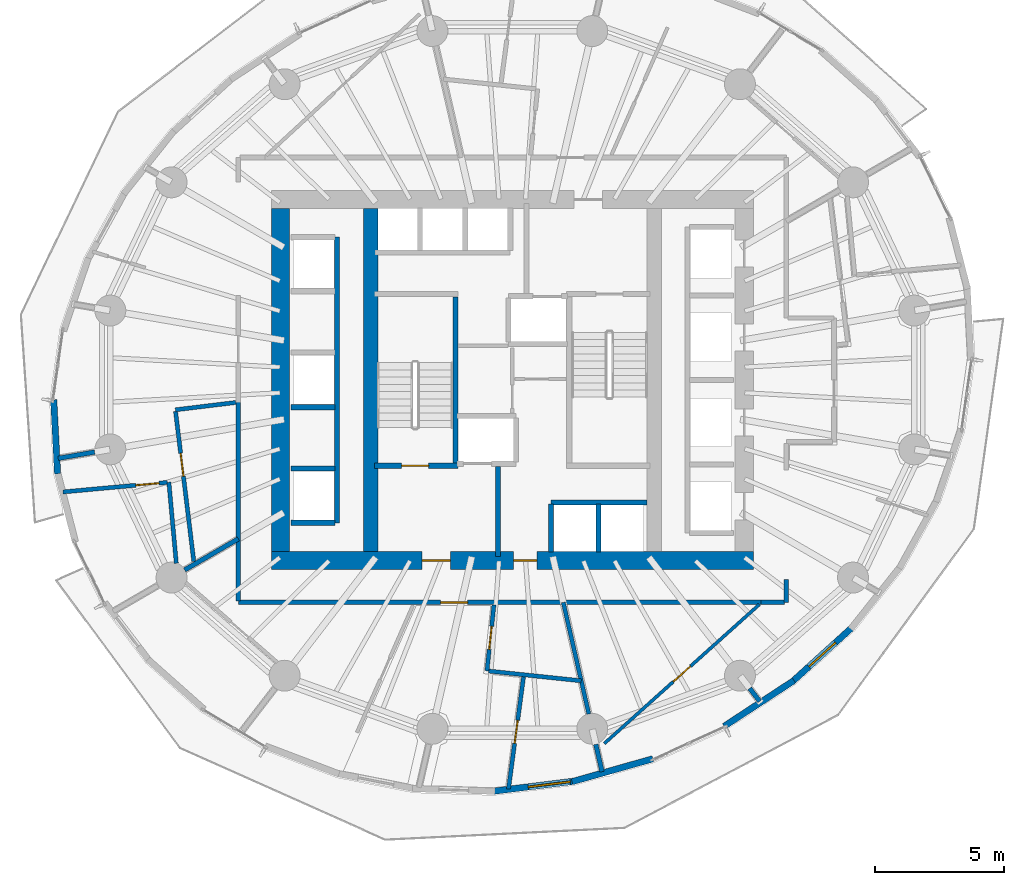
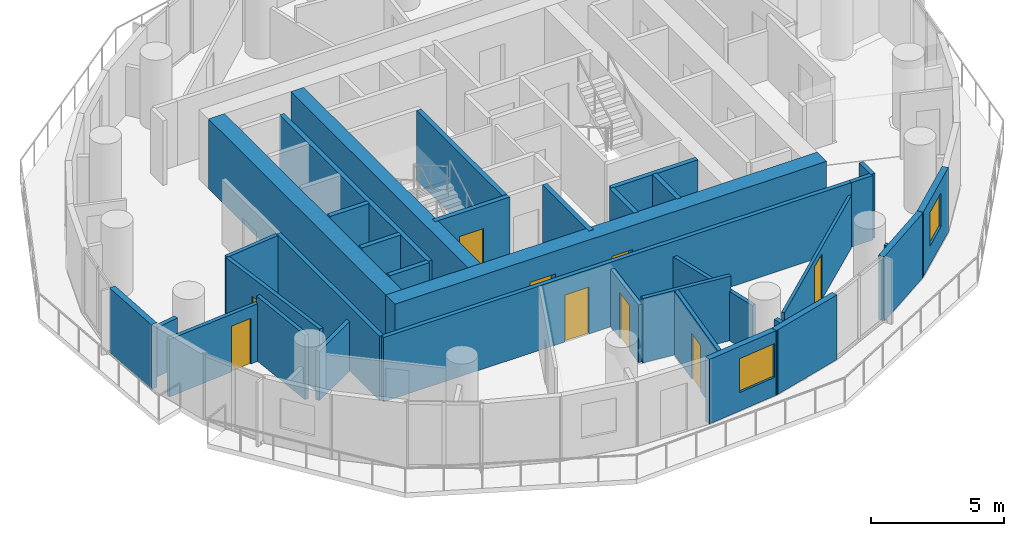
# One storey, part 7 of 14: 35 walls, 9 doors, 2 windows, 11 openings.
"""IFC4 building model written with IfcOpenShell, lengths in metres."""

from ifc_helpers import new_model, si_unit, direction, frame, frame_2d, origin, place, context, subcontext, project, spatial, rectangle, extrude, material, layer, layer_set, type_object, element, fill, save


model = new_model("IFC4")

# Units and contexts
model_context = context("Model", 3, precision=1e-05, world=origin(), true_north=direction((0.0, 1.0)))
body_context = subcontext(model_context, "Body", "Model", "MODEL_VIEW")
ifc_project = project(units=[si_unit("LENGTHUNIT", "METRE"), si_unit("AREAUNIT", "SQUARE_METRE"), si_unit("VOLUMEUNIT", "CUBIC_METRE"), si_unit("PLANEANGLEUNIT", "RADIAN"), si_unit("MASSUNIT", "GRAM", prefix="KILO")], contexts=[model_context])

# Site, building, storey
site_placement = place(None, origin())
site = spatial("IfcSite", under=ifc_project, at=site_placement, CompositionType="ELEMENT")
building_placement = place(site_placement, origin())
building = spatial("IfcBuilding", under=site, at=building_placement, Name="Veldorim Arch Residences", CompositionType="ELEMENT")
storey_placement = place(building_placement, frame((0.0, 0.0, 90.080078125)))
storey = spatial("IfcBuildingStorey", under=building, at=storey_placement, Name="L26", CompositionType="ELEMENT", Elevation=90.080078125)

# Wall, opening, door
ifc_material_1 = material(Name="Acoustic Gypsum Board", Category="gypsum")
ifc_layer_1 = layer(ifc_material_1, 0.125, Name="Acoustic Stud Room Partition Wall 125")
ifc_layer_set_1 = layer_set([ifc_layer_1], Name="Acoustic Gypsum Board")
wall_type_1 = type_object("IfcWallType", Name="Acoustic Stud Room Partition Wall 125", PredefinedType="PARTITIONING", material=ifc_layer_set_1)
wall_1_placement = place(storey_placement, frame((35.5712890625, 9.89404296875, 0.0), z_axis=(0.0, 0.0, 1.0), x_axis=(0.744379363772, 0.667756963865, 0.0)))
wall_1 = element("IfcWall", 1, at=wall_1_placement, inside=storey, type_object=wall_type_1, Name="L26 interior wall WL-RES-L26-027", PredefinedType="PARTITIONING", context=body_context, shape_type="SweptSolid", body=[
    extrude(rectangle(XDim=8.080322265625, YDim=0.125, at=frame_2d((4.0400390625, 0.0))), origin(), (0.0, 0.0, 1.0), 2.4033203125),
])
opening_1_placement = place(wall_1_placement, frame((3.590087890625, 0.0, 0.0)))
opening_1 = element("IfcOpeningElement", 2, at=opening_1_placement, cuts=wall_1, Name="Opening DR-INT", PredefinedType="OPENING", context=body_context, shape_type="SweptSolid", body=[
    extrude(rectangle(XDim=0.89990234375, YDim=2.10009765625, at=frame_2d((0.449951171875, 1.050048828125))), frame((0.0, 0.072509765625, 0.0), z_axis=(0.0, -1.0, 0.0), x_axis=(1.0, 0.0, 0.0)), (0.0, 0.0, 1.0), 0.14501953125),
])
ifc_material_2 = material(Name="Engineered Timber", Category="wood")
door_type_1 = type_object("IfcDoorType", Name="Apartment Internal Room Timber Door 900x2100", OperationType="SINGLE_SWING_LEFT", PredefinedType="DOOR", material=ifc_material_2)
door_1_placement = place(opening_1_placement, origin())
door_1 = element("IfcDoor", 3, at=door_1_placement, inside=storey, type_object=door_type_1, Name="L26 interior door DR-RES-L26-009", OperationType="SINGLE_SWING_LEFT", OverallHeight=2.10009765625, OverallWidth=0.89990234375, PredefinedType="DOOR", context=body_context, shape_type="SweptSolid", body=[
    extrude(rectangle(XDim=0.89990234375, YDim=2.10009765625, at=frame_2d((0.449951171875, 1.050048828125))), frame((0.0, 0.02490234375, 0.0), z_axis=(0.0, -1.0, 0.0), x_axis=(1.0, 0.0, 0.0)), (0.0, 0.0, 1.0), 0.050048828125),
])
fill(opening_1, door_1)

# Walls
ifc_material_3 = material(Name="Lightweight Masonry Block & Gypsum", Category="masonry")
ifc_layer_2 = layer(ifc_material_3, 0.179931640625, Name="Compartment & Corridor Fire-Rated Party Wall 180")
ifc_layer_set_2 = layer_set([ifc_layer_2], Name="Lightweight Masonry Block & Gypsum")
wall_type_2 = type_object("IfcWallType", Name="Compartment & Corridor Fire-Rated Party Wall 180", PredefinedType="PARTITIONING", material=ifc_layer_set_2)
wall_2_placement = place(storey_placement, frame((15.79443359375, 21.202392578125, 0.0), z_axis=(0.0, 0.0, 1.0), x_axis=(-0.985402123708, -0.170242928172, 0.0)))
element("IfcWall", 4, at=wall_2_placement, inside=storey, type_object=wall_type_2, Name="L26 interior wall WL-PIER-L26-09", PredefinedType="PARTITIONING", context=body_context, shape_type="SweptSolid", body=[
    extrude(rectangle(XDim=1.435546875, YDim=0.179931640625, at=frame_2d((0.7177734375, 0.0))), origin(), (0.0, 0.0, 1.0), 2.260498046875),
])
wall_3_placement = place(storey_placement, frame((35.240478515625, 9.86083984375, 0.0), z_axis=(0.0, 0.0, 1.0), x_axis=(0.223287406217, -0.974752652843, 0.0)))
element("IfcWall", 5, at=wall_3_placement, inside=storey, type_object=wall_type_2, Name="L26 interior wall WL-PIER-L26-13", PredefinedType="PARTITIONING", context=body_context, shape_type="SweptSolid", body=[
    extrude(rectangle(XDim=1.089111328125, YDim=0.179931640625, at=frame_2d((0.54443359375, 0.0))), origin(), (0.0, 0.0, 1.0), 2.260498046875),
])
wall_4_placement = place(storey_placement, frame((41.2119140625, 12.034423828125, 0.0), z_axis=(0.0, 0.0, 1.0), x_axis=(0.609970610867, -0.792424036661, 0.0)))
element("IfcWall", 6, at=wall_4_placement, inside=storey, type_object=wall_type_2, Name="L26 interior wall WL-PIER-L26-14", PredefinedType="PARTITIONING", context=body_context, shape_type="SweptSolid", body=[
    extrude(rectangle(XDim=0.635498046875, YDim=0.179931640625, at=frame_2d((0.31787109375, 0.0))), origin(), (0.0, 0.0, 1.0), 2.260498046875),
])

# Wall, opening, door
wall_5_placement = place(storey_placement, frame((41.6953125, 15.3701171875, 0.0), z_axis=(0.0, 0.0, 1.0), x_axis=(-1.0, 0.0, 0.0)))
wall_5 = element("IfcWall", 7, at=wall_5_placement, inside=storey, type_object=wall_type_2, Name="L26 interior wall WL-RES-L26-001", PredefinedType="PARTITIONING", context=body_context, shape_type="SweptSolid", body=[
    extrude(rectangle(XDim=20.3251953125, YDim=0.179931640625, at=frame_2d((10.16259765625, 0.0))), origin(), (0.0, 0.0, 1.0), 2.954833984375),
])
opening_2_placement = place(wall_5_placement, frame((11.423583984375, 0.0, 0.0)))
opening_2 = element("IfcOpeningElement", 8, at=opening_2_placement, cuts=wall_5, Name="Opening DR-FLT", PredefinedType="OPENING", context=body_context, shape_type="SweptSolid", body=[
    extrude(rectangle(XDim=1.050048828125, YDim=2.14990234375, at=frame_2d((0.52490234375, 1.074951171875))), frame((0.0, 0.099853515625, 0.0), z_axis=(0.0, -1.0, 0.0), x_axis=(1.0, 0.0, 0.0)), (0.0, 0.0, 1.0), 0.199951171875),
])
ifc_material_4 = material(Name="Fire-Rated Timber", Category="wood")
door_type_2 = type_object("IfcDoorType", Name="Apartment Entrance Solid-Core Fire Door 1050x2150", OperationType="SINGLE_SWING_LEFT", PredefinedType="DOOR", material=ifc_material_4)
door_2_placement = place(opening_2_placement, origin())
door_2 = element("IfcDoor", 9, at=door_2_placement, inside=storey, type_object=door_type_2, Name="L26 interior door DR-RES-L26-001", OperationType="SINGLE_SWING_LEFT", OverallHeight=2.14990234375, OverallWidth=1.050048828125, PredefinedType="DOOR", context=body_context, shape_type="SweptSolid", body=[
    extrude(rectangle(XDim=1.050048828125, YDim=2.14990234375, at=frame_2d((0.52490234375, 1.074951171875))), frame((0.0, 0.02490234375, 0.0), z_axis=(0.0, -1.0, 0.0), x_axis=(1.0, 0.0, 0.0)), (0.0, 0.0, 1.0), 0.050048828125),
])
fill(opening_2, door_2)

# Walls
wall_6_placement = place(storey_placement, frame((21.3701171875, 15.429931640625, 0.0), z_axis=(0.0, 0.0, 1.0), x_axis=(0.0, 1.0, 0.0)))
element("IfcWall", 10, at=wall_6_placement, inside=storey, type_object=wall_type_2, Name="L26 interior wall WL-RES-L26-002", PredefinedType="PARTITIONING", context=body_context, shape_type="SweptSolid", body=[
    extrude(rectangle(XDim=7.7265625, YDim=0.179931640625, at=frame_2d((3.86328125, 0.0))), origin(), (0.0, 0.0, 1.0), 2.954833984375),
])
wall_7_placement = place(storey_placement, frame((42.6298828125, 16.253173828125, 0.0), z_axis=(0.0, 0.0, 1.0), x_axis=(0.0, -1.0, 0.0)))
element("IfcWall", 11, at=wall_7_placement, inside=storey, type_object=wall_type_2, Name="L26 interior wall WL-RES-L26-006", PredefinedType="PARTITIONING", context=body_context, shape_type="SweptSolid", body=[
    extrude(rectangle(XDim=0.883056640625, YDim=0.179931640625, at=frame_2d((0.44140625, 0.0))), origin(), (0.0, 0.0, 1.0), 2.954833984375),
])
wall_8_placement = place(storey_placement, frame((42.570068359375, 15.3701171875, 0.0), z_axis=(0.0, 0.0, 1.0), x_axis=(-1.0, 0.0, 0.0)))
element("IfcWall", 12, at=wall_8_placement, inside=storey, type_object=wall_type_2, Name="L26 interior wall WL-RES-L26-007", PredefinedType="PARTITIONING", context=body_context, shape_type="SweptSolid", body=[
    extrude(rectangle(XDim=0.924560546875, YDim=0.179931640625, at=frame_2d((0.46240234375, 0.0))), origin(), (0.0, 0.0, 1.0), 2.954833984375),
])
wall_9_placement = place(storey_placement, frame((19.28759765625, 16.627685546875, 0.0), z_axis=(0.0, 0.0, 1.0), x_axis=(0.86502326608, 0.501731750182, 0.0)))
element("IfcWall", 13, at=wall_9_placement, inside=storey, type_object=wall_type_2, Name="L26 interior wall WL-RES-L26-020", PredefinedType="PARTITIONING", context=body_context, shape_type="SweptSolid", body=[
    extrude(rectangle(XDim=2.4072265625, YDim=0.179931640625, at=frame_2d((1.20361328125, 0.0))), origin(), (0.0, 0.0, 1.0), 2.260498046875),
])
ifc_material_5 = material(Name="Concrete C50/60", Category="concrete")
ifc_layer_3 = layer(ifc_material_5, 0.199951171875, Name="Core Stair & Lift Shaft Enclosure Wall 200")
ifc_layer_set_3 = layer_set([ifc_layer_3], Name="Concrete C50/60")
wall_type_3 = type_object("IfcWallType", Name="Core Stair & Lift Shaft Enclosure Wall 200", PredefinedType="SHEAR", material=ifc_layer_set_3)
wall_10_placement = place(storey_placement, frame((29.7900390625, 20.780029296875, 0.0), z_axis=(0.0, 0.0, 1.0), x_axis=(0.0, 1.0, 0.0)))
element("IfcWall", 14, at=wall_10_placement, inside=storey, type_object=wall_type_3, Name="L26 shaft wall WL-SHF-L26-ST1-E", PredefinedType="SHEAR", context=body_context, shape_type="SweptSolid", body=[
    extrude(rectangle(XDim=6.43994140625, YDim=0.199951171875, at=frame_2d((3.219970703125, 0.0))), origin(), (0.0, 0.0, 1.0), 3.199951171875),
])

# Wall, opening, door
wall_11_placement = place(storey_placement, frame((26.64990234375, 20.669921875, 0.0), z_axis=(0.0, 0.0, 1.0), x_axis=(1.0, 0.0, 0.0)))
wall_11 = element("IfcWall", 15, at=wall_11_placement, inside=storey, type_object=wall_type_3, Name="L26 shaft wall WL-SHF-L26-ST1-S", PredefinedType="SHEAR", context=body_context, shape_type="SweptSolid", body=[
    extrude(rectangle(XDim=3.239990234375, YDim=0.199951171875, at=frame_2d((1.6201171875, 0.0))), origin(), (0.0, 0.0, 1.0), 3.199951171875),
])
opening_3_placement = place(wall_11_placement, frame((1.054931640625, 0.0, 0.0)))
opening_3 = element("IfcOpeningElement", 16, at=opening_3_placement, cuts=wall_11, Name="Opening DR-ST", PredefinedType="OPENING", context=body_context, shape_type="SweptSolid", body=[
    extrude(rectangle(XDim=1.050048828125, YDim=2.14990234375, at=frame_2d((0.52490234375, 1.074951171875))), frame((0.0, 0.10986328125, 0.0), z_axis=(0.0, -1.0, 0.0), x_axis=(1.0, 0.0, 0.0)), (0.0, 0.0, 1.0), 0.219970703125),
])
ifc_material_6 = material(Name="Fire-Rated Steel", Category="steel")
door_type_3 = type_object("IfcDoorType", Name="Exit Staircase Self-Closing Fire Door 1050x2150", OperationType="SINGLE_SWING_LEFT", PredefinedType="DOOR", material=ifc_material_6)
door_3_placement = place(opening_3_placement, origin())
door_3 = element("IfcDoor", 17, at=door_3_placement, inside=storey, type_object=door_type_3, Name="L26 interior door DR-L26-ST1", OperationType="SINGLE_SWING_LEFT", OverallHeight=2.14990234375, OverallWidth=1.050048828125, PredefinedType="DOOR", context=body_context, shape_type="SweptSolid", body=[
    extrude(rectangle(XDim=1.050048828125, YDim=2.14990234375, at=frame_2d((0.52490234375, 1.074951171875))), frame((0.0, 0.02490234375, 0.0), z_axis=(0.0, -1.0, 0.0), x_axis=(1.0, 0.0, 0.0)), (0.0, 0.0, 1.0), 0.050048828125),
])
fill(opening_3, door_3)

# Walls
wall_12_placement = place(storey_placement, frame((31.449951171875, 17.14990234375, 0.0), z_axis=(0.0, 0.0, 1.0), x_axis=(0.0, 1.0, 0.0)))
element("IfcWall", 18, at=wall_12_placement, inside=storey, type_object=wall_type_3, Name="L26 shaft wall WL-FFL1-L26-E", PredefinedType="SHEAR", context=body_context, shape_type="SweptSolid", body=[
    extrude(rectangle(XDim=3.5, YDim=0.199951171875, at=frame_2d((1.75, 0.0))), origin(), (0.0, 0.0, 1.0), 3.199951171875),
])
wall_13_placement = place(storey_placement, frame((25.199951171875, 18.4599609375, 0.0), z_axis=(0.0, 0.0, 1.0), x_axis=(0.0, 1.0, 0.0)))
element("IfcWall", 19, at=wall_13_placement, inside=storey, type_object=wall_type_3, Name="L26 shaft wall WL-B2-L26-E", PredefinedType="SHEAR", context=body_context, shape_type="SweptSolid", body=[
    extrude(rectangle(XDim=11.080078125, YDim=0.199951171875, at=frame_2d((5.5400390625, 0.0))), origin(), (0.0, 0.0, 1.0), 3.199951171875),
])
for number, where, z_axis, x_axis, name in (
    (20, (23.419921875, 18.4599609375, 0.0), (0.0, 0.0, 1.0), (1.0, 0.0, 0.0), "L26 shaft wall WL-B2-L26-S"),
    (21, (23.419921875, 20.56005859375, 0.0), (0.0, 0.0, 1.0), (1.0, 0.0, 0.0), "L26 shaft wall WL-B2-L26-D1A"),
    (22, (23.419921875, 22.93994140625, 0.0), (0.0, 0.0, 1.0), (1.0, 0.0, 0.0), "L26 shaft wall WL-B2-L26-D1B"),
):
    element("IfcWall", number, at=place(storey_placement, frame(where, z_axis=z_axis, x_axis=x_axis)), inside=storey, type_object=wall_type_3, Name=name, PredefinedType="SHEAR", context=body_context, shape_type="SweptSolid", body=[
        extrude(rectangle(XDim=1.7099609375, YDim=0.199951171875, at=frame_2d((0.85498046875, 0.0))), origin(), (0.0, 0.0, 1.0), 3.199951171875),
    ])
wall_14_placement = place(storey_placement, frame((33.5, 19.25, 0.0), z_axis=(0.0, 0.0, 1.0), x_axis=(1.0, 0.0, 0.0)))
element("IfcWall", 23, at=wall_14_placement, inside=storey, type_object=wall_type_3, Name="L26 shaft wall WL-OL-L26-N", PredefinedType="SHEAR", context=body_context, shape_type="SweptSolid", body=[
    extrude(rectangle(XDim=3.719970703125, YDim=0.199951171875, at=frame_2d((1.85986328125, 0.0))), origin(), (0.0, 0.0, 1.0), 3.199951171875),
])
for number, where, z_axis, x_axis, name in (
    (24, (33.5, 17.320068359375, 0.0), (0.0, 0.0, 1.0), (0.0, 1.0, 0.0), "L26 shaft wall WL-OL-L26-W"),
    (25, (35.35009765625, 17.320068359375, 0.0), (0.0, 0.0, 1.0), (0.0, 1.0, 0.0), "L26 shaft wall WL-OL-L26-D1"),
):
    element("IfcWall", number, at=place(storey_placement, frame(where, z_axis=z_axis, x_axis=x_axis)), inside=storey, type_object=wall_type_3, Name=name, PredefinedType="SHEAR", context=body_context, shape_type="SweptSolid", body=[
        extrude(rectangle(XDim=1.85986328125, YDim=0.199951171875, at=frame_2d((0.929931640625, 0.0))), origin(), (0.0, 0.0, 1.0), 3.199951171875),
    ])
ifc_material_7 = material(Name="Concrete C60/75", Category="concrete")
ifc_layer_4 = layer(ifc_material_7, 0.56005859375, Name="Internal Core Shear Web Wall 560")
ifc_layer_set_4 = layer_set([ifc_layer_4], Name="Concrete C60/75")
wall_type_4 = type_object("IfcWallType", Name="Internal Core Shear Web Wall 560", PredefinedType="SHEAR", material=ifc_layer_set_4)
wall_15_placement = place(storey_placement, frame((26.5, 17.35009765625, 0.0), z_axis=(0.0, 0.0, 1.0), x_axis=(0.0, 1.0, 0.0)))
element("IfcWall", 26, at=wall_15_placement, inside=storey, type_object=wall_type_4, Name="L26 core west internal shear web", PredefinedType="SHEAR", context=body_context, shape_type="SweptSolid", body=[
    extrude(rectangle(XDim=13.2998046875, YDim=0.56005859375, at=frame_2d((6.64990234375, 0.0))), origin(), (0.0, 0.0, 1.0), 3.199951171875),
])

# Wall, openings, doors
ifc_material_8 = material(Name="Concrete C60/75", Category="concrete")
ifc_layer_5 = layer(ifc_material_8, 0.699951171875, Name="Mid-Lower Central Core Shear Wall 700")
ifc_layer_set_5 = layer_set([ifc_layer_5], Name="Concrete C60/75")
wall_type_5 = type_object("IfcWallType", Name="Mid-Lower Central Core Shear Wall 700", PredefinedType="SHEAR", material=ifc_layer_set_5)
wall_16_placement = place(storey_placement, frame((22.64990234375, 17.0, 0.0), z_axis=(0.0, 0.0, 1.0), x_axis=(1.0, 0.0, 0.0)))
wall_16 = element("IfcWall", 27, at=wall_16_placement, inside=storey, type_object=wall_type_5, Name="L26 central core south shear wall", PredefinedType="SHEAR", context=body_context, shape_type="SweptSolid", body=[
    extrude(rectangle(XDim=18.7001953125, YDim=0.699951171875, at=frame_2d((9.35009765625, 0.0))), origin(), (0.0, 0.0, 1.0), 3.199951171875),
])
opening_4_placement = place(wall_16_placement, frame((5.85009765625, 0.0, 0.0)))
opening_4 = element("IfcOpeningElement", 28, at=opening_4_placement, cuts=wall_16, Name="Opening DR-FFL", PredefinedType="OPENING", context=body_context, shape_type="SweptSolid", body=[
    extrude(rectangle(XDim=1.10009765625, YDim=2.14990234375, at=frame_2d((0.550048828125, 1.074951171875))), frame((0.0, 0.35986328125, 0.0), z_axis=(0.0, -1.0, 0.0), x_axis=(1.0, 0.0, 0.0)), (0.0, 0.0, 1.0), 0.719970703125),
])
opening_5_placement = place(wall_16_placement, frame((9.39990234375, 0.0, 0.0)))
opening_5 = element("IfcOpeningElement", 29, at=opening_5_placement, cuts=wall_16, Name="Opening DR-SVC", PredefinedType="OPENING", context=body_context, shape_type="SweptSolid", body=[
    extrude(rectangle(XDim=0.89990234375, YDim=2.10009765625, at=frame_2d((0.449951171875, 1.050048828125))), frame((0.0, 0.35986328125, 0.0), z_axis=(0.0, -1.0, 0.0), x_axis=(1.0, 0.0, 0.0)), (0.0, 0.0, 1.0), 0.719970703125),
])
ifc_material_9 = material(Name="Fire-Rated Steel & Vision Glass", Category="steel")
door_type_4 = type_object("IfcDoorType", Name="Firefighting Lobby Smoke-Stop Fire Door 1100x2150", OperationType="SINGLE_SWING_LEFT", PredefinedType="DOOR", material=ifc_material_9)
door_4_placement = place(opening_4_placement, origin())
door_4 = element("IfcDoor", 30, at=door_4_placement, inside=storey, type_object=door_type_4, Name="L26 interior door DR-L26-FFL1", OperationType="SINGLE_SWING_RIGHT", OverallHeight=2.14990234375, OverallWidth=1.10009765625, PredefinedType="DOOR", context=body_context, shape_type="SweptSolid", body=[
    extrude(rectangle(XDim=1.10009765625, YDim=2.14990234375, at=frame_2d((0.550048828125, 1.074951171875))), frame((0.0, 0.02490234375, 0.0), z_axis=(0.0, -1.0, 0.0), x_axis=(1.0, 0.0, 0.0)), (0.0, 0.0, 1.0), 0.050048828125),
])
fill(opening_4, door_4)
ifc_material_10 = material(Name="Fire-Rated Steel", Category="steel")
door_type_5 = type_object("IfcDoorType", Name="Riser, Shelter & Plant Room Rated Steel Door 900x2100", OperationType="SINGLE_SWING_LEFT", PredefinedType="DOOR", material=ifc_material_10)
door_5_placement = place(opening_5_placement, origin())
door_5 = element("IfcDoor", 31, at=door_5_placement, inside=storey, type_object=door_type_5, Name="L26 interior door DR-L26-COR-ANC", OperationType="SINGLE_SWING_LEFT", OverallHeight=2.10009765625, OverallWidth=0.89990234375, PredefinedType="DOOR", context=body_context, shape_type="SweptSolid", body=[
    extrude(rectangle(XDim=0.89990234375, YDim=2.10009765625, at=frame_2d((0.449951171875, 1.050048828125))), frame((0.0, 0.02490234375, 0.0), z_axis=(0.0, -1.0, 0.0), x_axis=(1.0, 0.0, 0.0)), (0.0, 0.0, 1.0), 0.050048828125),
])
fill(opening_5, door_5)

# Walls
wall_17_placement = place(storey_placement, frame((23.0, 17.35009765625, 0.0), z_axis=(0.0, 0.0, 1.0), x_axis=(0.0, 1.0, 0.0)))
element("IfcWall", 32, at=wall_17_placement, inside=storey, type_object=wall_type_5, Name="L26 central core west shear wall", PredefinedType="SHEAR", context=body_context, shape_type="SweptSolid", body=[
    extrude(rectangle(XDim=13.2998046875, YDim=0.699951171875, at=frame_2d((6.64990234375, 0.0))), origin(), (0.0, 0.0, 1.0), 3.199951171875),
])
ifc_material_11 = material(Name="Precast concrete C40/50", Category="concrete")
ifc_layer_6 = layer(ifc_material_11, 0.25, Name="Tower Terracotta Spandrel & Pier Wall 250")
ifc_layer_set_6 = layer_set([ifc_layer_6], Name="Precast concrete C40/50")
wall_type_6 = type_object("IfcWallType", Name="Tower Terracotta Spandrel & Pier Wall 250", PredefinedType="SOLIDWALL", material=ifc_layer_set_6)
wall_18_placement = place(storey_placement, frame((14.356201171875, 20.35986328125, 0.0), z_axis=(0.0, 0.0, 1.0), x_axis=(-0.052411702269, 0.998625562193, 0.0)))
element("IfcWall", 33, at=wall_18_placement, inside=storey, type_object=wall_type_6, Name="L26 terracotta facade wall 17", PredefinedType="SOLIDWALL", context=body_context, shape_type="SweptSolid", body=[
    extrude(rectangle(XDim=2.8740234375, YDim=0.25, at=frame_2d((1.43701171875, 0.0))), origin(), (0.0, 0.0, 1.0), 2.9599609375),
])

# Wall, opening, window
wall_19_placement = place(storey_placement, frame((34.42529296875, 8.43359375, 0.0), z_axis=(0.0, 0.0, 1.0), x_axis=(-0.99241077266, -0.122966899235, 0.0)))
wall_19 = element("IfcWall", 34, at=wall_19_placement, inside=storey, type_object=wall_type_6, Name="L26 terracotta facade wall 26", PredefinedType="SOLIDWALL", context=body_context, shape_type="SweptSolid", body=[
    extrude(rectangle(XDim=3.236328125, YDim=0.25, at=frame_2d((1.6181640625, 0.0))), origin(), (0.0, 0.0, 1.0), 2.9599609375),
])
opening_6_placement = place(wall_19_placement, frame((0.175048828125, 0.0, 0.85009765625)))
opening_6 = element("IfcOpeningElement", 35, at=opening_6_placement, cuts=wall_19, Name="Opening WN-03", PredefinedType="OPENING", context=body_context, shape_type="SweptSolid", body=[
    extrude(rectangle(XDim=1.64990234375, YDim=1.550048828125, at=frame_2d((0.824951171875, 0.77490234375))), frame((0.0, 0.135009765625, 0.0), z_axis=(0.0, -1.0, 0.0), x_axis=(1.0, 0.0, 0.0)), (0.0, 0.0, 1.0), 0.27001953125),
])
ifc_material_12 = material(Name="Laminated Low-E Glass", Category="glass")
window_type_1 = type_object("IfcWindowType", Name="Residential Wide Window 1650x1550", PartitioningType="SINGLE_PANEL", PredefinedType="WINDOW", material=ifc_material_12)
window_1_placement = place(opening_6_placement, origin())
window_1 = element("IfcWindow", 36, at=window_1_placement, inside=storey, type_object=window_type_1, Name="L26 solar-control facade window 26", OverallHeight=1.550048828125, OverallWidth=1.64990234375, PartitioningType="SINGLE_PANEL", PredefinedType="WINDOW", context=body_context, shape_type="SweptSolid", body=[
    extrude(rectangle(XDim=1.64990234375, YDim=1.550048828125, at=frame_2d((0.824951171875, 0.77490234375))), frame((0.0, 0.030029296875, 0.0), z_axis=(0.0, -1.0, 0.0), x_axis=(1.0, 0.0, 0.0)), (0.0, 0.0, 1.0), 0.06005859375),
])
fill(opening_6, window_1)

# Walls
wall_20_placement = place(storey_placement, frame((37.45458984375, 9.300537109375, 0.0), z_axis=(0.0, 0.0, 1.0), x_axis=(-0.962134911526, -0.272573681825, 0.0)))
element("IfcWall", 37, at=wall_20_placement, inside=storey, type_object=wall_type_6, Name="L26 terracotta facade wall 27", PredefinedType="SOLIDWALL", context=body_context, shape_type="SweptSolid", body=[
    extrude(rectangle(XDim=3.259521484375, YDim=0.25, at=frame_2d((1.6298828125, 0.0))), origin(), (0.0, 0.0, 1.0), 2.9599609375),
])
wall_21_placement = place(storey_placement, frame((42.929443359375, 12.3369140625, 0.0), z_axis=(0.0, 0.0, 1.0), x_axis=(-0.836273856728, -0.548311988336, 0.0)))
element("IfcWall", 38, at=wall_21_placement, inside=storey, type_object=wall_type_6, Name="L26 terracotta facade wall 29", PredefinedType="SOLIDWALL", context=body_context, shape_type="SweptSolid", body=[
    extrude(rectangle(XDim=3.236083984375, YDim=0.25, at=frame_2d((1.6181640625, 0.0))), origin(), (0.0, 0.0, 1.0), 2.9599609375),
])

# Wall, opening, window
wall_22_placement = place(storey_placement, frame((45.207763671875, 14.414306640625, 0.0), z_axis=(0.0, 0.0, 1.0), x_axis=(-0.740832321657, -0.671690011232, 0.0)))
wall_22 = element("IfcWall", 39, at=wall_22_placement, inside=storey, type_object=wall_type_6, Name="L26 terracotta facade wall 30", PredefinedType="SOLIDWALL", context=body_context, shape_type="SweptSolid", body=[
    extrude(rectangle(XDim=3.19189453125, YDim=0.25, at=frame_2d((1.595947265625, 0.0))), origin(), (0.0, 0.0, 1.0), 2.9599609375),
])
opening_7_placement = place(wall_22_placement, frame((0.89599609375, 0.0, 0.85009765625)))
opening_7 = element("IfcOpeningElement", 40, at=opening_7_placement, cuts=wall_22, Name="Opening WN-02", PredefinedType="OPENING", context=body_context, shape_type="SweptSolid", body=[
    extrude(rectangle(XDim=1.39990234375, YDim=1.550048828125, at=frame_2d((0.699951171875, 0.77490234375))), frame((0.0, 0.135009765625, 0.0), z_axis=(0.0, -1.0, 0.0), x_axis=(1.0, 0.0, 0.0)), (0.0, 0.0, 1.0), 0.27001953125),
])
ifc_material_13 = material(Name="Laminated Low-E Glass", Category="glass")
window_type_2 = type_object("IfcWindowType", Name="Residential Casement Window 1400x1550", PartitioningType="SINGLE_PANEL", PredefinedType="WINDOW", material=ifc_material_13)
window_2_placement = place(opening_7_placement, origin())
window_2 = element("IfcWindow", 41, at=window_2_placement, inside=storey, type_object=window_type_2, Name="L26 solar-control facade window 30", OverallHeight=1.550048828125, OverallWidth=1.39990234375, PartitioningType="SINGLE_PANEL", PredefinedType="WINDOW", context=body_context, shape_type="SweptSolid", body=[
    extrude(rectangle(XDim=1.39990234375, YDim=1.550048828125, at=frame_2d((0.699951171875, 0.77490234375))), frame((0.0, 0.030029296875, 0.0), z_axis=(0.0, -1.0, 0.0), x_axis=(1.0, 0.0, 0.0)), (0.0, 0.0, 1.0), 0.06005859375),
])
fill(opening_7, window_2)

# Wall, opening, door
ifc_material_14 = material(Name="Moisture-Resistant Gypsum & Stud", Category="gypsum")
ifc_layer_7 = layer(ifc_material_14, 0.159912109375, Name="Wet-Area Moisture-Resistant Plumbing Wall 160")
ifc_layer_set_7 = layer_set([ifc_layer_7], Name="Moisture-Resistant Gypsum & Stud")
wall_type_7 = type_object("IfcWallType", Name="Wet-Area Moisture-Resistant Plumbing Wall 160", PredefinedType="PLUMBINGWALL", material=ifc_layer_set_7)
wall_23_placement = place(storey_placement, frame((32.447509765625, 12.562255859375, 0.0), z_axis=(0.0, 0.0, 1.0), x_axis=(-0.132986130607, -0.991117898671, 0.0)))
wall_23 = element("IfcWall", 42, at=wall_23_placement, inside=storey, type_object=wall_type_7, Name="L26 interior wall WL-RES-L26-014", PredefinedType="PLUMBINGWALL", context=body_context, shape_type="SweptSolid", body=[
    extrude(rectangle(XDim=4.47216796875, YDim=0.159912109375, at=frame_2d((2.236083984375, 0.0))), origin(), (0.0, 0.0, 1.0), 2.954833984375),
])
opening_8_placement = place(wall_23_placement, frame((1.785888671875, 0.0, 0.0)))
opening_8 = element("IfcOpeningElement", 43, at=opening_8_placement, cuts=wall_23, Name="Opening DR-WC", PredefinedType="OPENING", context=body_context, shape_type="SweptSolid", body=[
    extrude(rectangle(XDim=0.89990234375, YDim=2.10009765625, at=frame_2d((0.449951171875, 1.050048828125))), frame((0.0, 0.08984375, 0.0), z_axis=(0.0, -1.0, 0.0), x_axis=(1.0, 0.0, 0.0)), (0.0, 0.0, 1.0), 0.179931640625),
])
ifc_material_15 = material(Name="Laminate Timber", Category="wood")
door_type_6 = type_object("IfcDoorType", Name="Bathroom & Accessible WC Moisture-Sealed Door 900x2100", OperationType="SINGLE_SWING_LEFT", PredefinedType="DOOR", material=ifc_material_15)
door_6_placement = place(opening_8_placement, origin())
door_6 = element("IfcDoor", 44, at=door_6_placement, inside=storey, type_object=door_type_6, Name="L26 interior door DR-RES-L26-002", OperationType="SINGLE_SWING_RIGHT", OverallHeight=2.10009765625, OverallWidth=0.89990234375, PredefinedType="DOOR", context=body_context, shape_type="SweptSolid", body=[
    extrude(rectangle(XDim=0.89990234375, YDim=2.10009765625, at=frame_2d((0.449951171875, 1.050048828125))), frame((0.0, 0.02490234375, 0.0), z_axis=(0.0, -1.0, 0.0), x_axis=(1.0, 0.0, 0.0)), (0.0, 0.0, 1.0), 0.050048828125),
])
fill(opening_8, door_6)

wall_24_placement = place(storey_placement, frame((31.287841796875, 15.2705078125, 0.0), z_axis=(0.0, 0.0, 1.0), x_axis=(-0.105094954285, -0.994462191631, 0.0)))
wall_24 = element("IfcWall", 45, at=wall_24_placement, inside=storey, type_object=wall_type_7, Name="L26 interior wall WL-RES-L26-016", PredefinedType="PLUMBINGWALL", context=body_context, shape_type="SweptSolid", body=[
    extrude(rectangle(XDim=2.571533203125, YDim=0.159912109375, at=frame_2d((1.28564453125, 0.0))), origin(), (0.0, 0.0, 1.0), 2.641357421875),
])
opening_9_placement = place(wall_24_placement, frame((0.835693359375, 0.0, 0.0)))
opening_9 = element("IfcOpeningElement", 46, at=opening_9_placement, cuts=wall_24, Name="Opening DR-INT", PredefinedType="OPENING", context=body_context, shape_type="SweptSolid", body=[
    extrude(rectangle(XDim=0.89990234375, YDim=2.10009765625, at=frame_2d((0.449951171875, 1.050048828125))), frame((0.0, 0.08984375, 0.0), z_axis=(0.0, -1.0, 0.0), x_axis=(1.0, 0.0, 0.0)), (0.0, 0.0, 1.0), 0.179931640625),
])
door_7_placement = place(opening_9_placement, origin())
door_7 = element("IfcDoor", 47, at=door_7_placement, inside=storey, type_object=door_type_1, Name="L26 interior door DR-RES-L26-005", OperationType="SINGLE_SWING_LEFT", OverallHeight=2.10009765625, OverallWidth=0.89990234375, PredefinedType="DOOR", context=body_context, shape_type="SweptSolid", body=[
    extrude(rectangle(XDim=0.89990234375, YDim=2.10009765625, at=frame_2d((0.449951171875, 1.050048828125))), frame((0.0, 0.02490234375, 0.0), z_axis=(0.0, -1.0, 0.0), x_axis=(1.0, 0.0, 0.0)), (0.0, 0.0, 1.0), 0.050048828125),
])
fill(opening_9, door_7)

# Walls
wall_25_placement = place(storey_placement, frame((31.077392578125, 12.706787109375, 0.0), z_axis=(0.0, 0.0, 1.0), x_axis=(0.994472124215, -0.105000924563, 0.0)))
element("IfcWall", 48, at=wall_25_placement, inside=storey, type_object=wall_type_7, Name="L26 interior wall WL-RES-L26-017", PredefinedType="PLUMBINGWALL", context=body_context, shape_type="SweptSolid", body=[
    extrude(rectangle(XDim=3.617919921875, YDim=0.159912109375, at=frame_2d((1.80908203125, 0.0))), origin(), (0.0, 0.0, 1.0), 2.954833984375),
])
wall_26_placement = place(storey_placement, frame((33.97802734375, 15.3701171875, 0.0), z_axis=(0.0, 0.0, 1.0), x_axis=(0.223321757884, -0.974744783241, 0.0)))
element("IfcWall", 49, at=wall_26_placement, inside=storey, type_object=wall_type_7, Name="L26 interior wall WL-RES-L26-018", PredefinedType="PLUMBINGWALL", context=body_context, shape_type="SweptSolid", body=[
    extrude(rectangle(XDim=4.441650390625, YDim=0.159912109375, at=frame_2d((2.220703125, 0.0))), origin(), (0.0, 0.0, 1.0), 2.260498046875),
])
wall_27_placement = place(storey_placement, frame((18.963623046875, 16.886962890625, 0.0), z_axis=(0.0, 0.0, 1.0), x_axis=(-0.091023836021, 0.995848714051, 0.0)))
element("IfcWall", 50, at=wall_27_placement, inside=storey, type_object=wall_type_7, Name="L26 interior wall WL-RES-L26-034", PredefinedType="PLUMBINGWALL", context=body_context, shape_type="SweptSolid", body=[
    extrude(rectangle(XDim=3.156982421875, YDim=0.159912109375, at=frame_2d((1.57861328125, 0.0))), origin(), (0.0, 0.0, 1.0), 2.954833984375),
])

# Wall, opening, door
wall_28_placement = place(storey_placement, frame((18.616455078125, 20.025390625, 0.0), z_axis=(0.0, 0.0, 1.0), x_axis=(-0.995848823867, -0.091022634561, 0.0)))
wall_28 = element("IfcWall", 51, at=wall_28_placement, inside=storey, type_object=wall_type_7, Name="L26 interior wall WL-RES-L26-035", PredefinedType="PLUMBINGWALL", context=body_context, shape_type="SweptSolid", body=[
    extrude(rectangle(XDim=4.06884765625, YDim=0.159912109375, at=frame_2d((2.034423828125, 0.0))), origin(), (0.0, 0.0, 1.0), 2.641357421875),
])
opening_10_placement = place(wall_28_placement, frame((0.324462890625, 0.0, 0.0)))
opening_10 = element("IfcOpeningElement", 52, at=opening_10_placement, cuts=wall_28, Name="Opening DR-WC", PredefinedType="OPENING", context=body_context, shape_type="SweptSolid", body=[
    extrude(rectangle(XDim=0.89990234375, YDim=2.10009765625, at=frame_2d((0.449951171875, 1.050048828125))), frame((0.0, 0.08984375, 0.0), z_axis=(0.0, -1.0, 0.0), x_axis=(1.0, 0.0, 0.0)), (0.0, 0.0, 1.0), 0.179931640625),
])
door_8_placement = place(opening_10_placement, origin())
door_8 = element("IfcDoor", 53, at=door_8_placement, inside=storey, type_object=door_type_6, Name="L26 interior door DR-RES-L26-017", OperationType="SINGLE_SWING_LEFT", OverallHeight=2.10009765625, OverallWidth=0.89990234375, PredefinedType="DOOR", context=body_context, shape_type="SweptSolid", body=[
    extrude(rectangle(XDim=0.89990234375, YDim=2.10009765625, at=frame_2d((0.449951171875, 1.050048828125))), frame((0.0, 0.02490234375, 0.0), z_axis=(0.0, -1.0, 0.0), x_axis=(1.0, 0.0, 0.0)), (0.0, 0.0, 1.0), 0.050048828125),
])
fill(opening_10, door_8)

# Wall
wall_29_placement = place(storey_placement, frame((21.270751953125, 23.12646484375, 0.0), z_axis=(0.0, 0.0, 1.0), x_axis=(-0.992687653986, -0.120711315224, 0.0)))
element("IfcWall", 54, at=wall_29_placement, inside=storey, type_object=wall_type_7, Name="L26 interior wall WL-RES-L26-037", PredefinedType="PLUMBINGWALL", context=body_context, shape_type="SweptSolid", body=[
    extrude(rectangle(XDim=2.3603515625, YDim=0.159912109375, at=frame_2d((1.18017578125, 0.0))), origin(), (0.0, 0.0, 1.0), 2.954833984375),
])

# Wall, opening, door
wall_30_placement = place(storey_placement, frame((18.93505859375, 22.781982421875, 0.0), z_axis=(0.0, 0.0, 1.0), x_axis=(0.120703145243, -0.992688647426, 0.0)))
wall_30 = element("IfcWall", 55, at=wall_30_placement, inside=storey, type_object=wall_type_7, Name="L26 interior wall WL-RES-L26-038", PredefinedType="PLUMBINGWALL", context=body_context, shape_type="SweptSolid", body=[
    extrude(rectangle(XDim=5.86376953125, YDim=0.159912109375, at=frame_2d((2.931884765625, 0.0))), origin(), (0.0, 0.0, 1.0), 2.954833984375),
])
opening_11_placement = place(wall_30_placement, frame((1.641845703125, 0.0, 0.0)))
opening_11 = element("IfcOpeningElement", 56, at=opening_11_placement, cuts=wall_30, Name="Opening DR-INT", PredefinedType="OPENING", context=body_context, shape_type="SweptSolid", body=[
    extrude(rectangle(XDim=0.89990234375, YDim=2.10009765625, at=frame_2d((0.449951171875, 1.050048828125))), frame((0.0, 0.08984375, 0.0), z_axis=(0.0, -1.0, 0.0), x_axis=(1.0, 0.0, 0.0)), (0.0, 0.0, 1.0), 0.179931640625),
])
door_9_placement = place(opening_11_placement, origin())
door_9 = element("IfcDoor", 57, at=door_9_placement, inside=storey, type_object=door_type_1, Name="L26 interior door DR-RES-L26-020", OperationType="SINGLE_SWING_RIGHT", OverallHeight=2.10009765625, OverallWidth=0.89990234375, PredefinedType="DOOR", context=body_context, shape_type="SweptSolid", body=[
    extrude(rectangle(XDim=0.89990234375, YDim=2.10009765625, at=frame_2d((0.449951171875, 1.050048828125))), frame((0.0, 0.02490234375, 0.0), z_axis=(0.0, -1.0, 0.0), x_axis=(1.0, 0.0, 0.0)), (0.0, 0.0, 1.0), 0.050048828125),
])
fill(opening_11, door_9)

save(model, "model.ifc")
